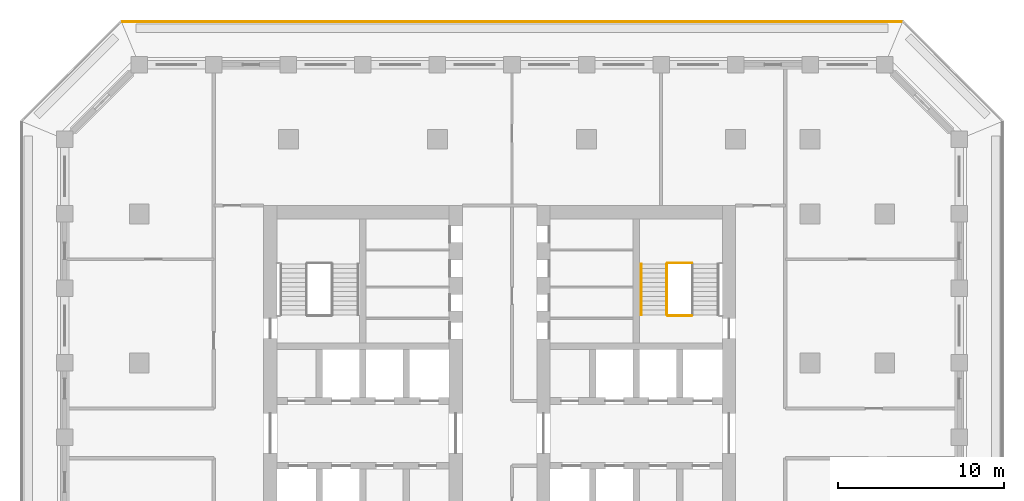
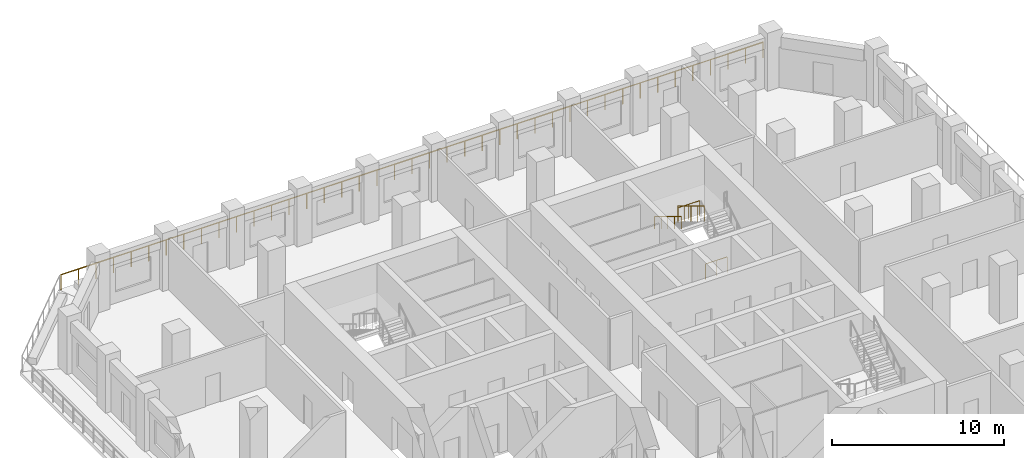
# One storey, part 14 of 16: 5 railings.
"""IFC4 building model written with IfcOpenShell, lengths in metres."""

from ifc_helpers import new_model, si_unit, direction, frame, origin, origin_2d, place, context, subcontext, project, spatial, circle, extrude, material, type_object, element, save


model = new_model("IFC4")

# Units and contexts
model_context = context("Model", 3, precision=1e-05, world=origin(), true_north=direction((0.0, 1.0)))
body_context = subcontext(model_context, "Body", "Model", "MODEL_VIEW")
ifc_project = project(units=[si_unit("LENGTHUNIT", "METRE"), si_unit("AREAUNIT", "SQUARE_METRE"), si_unit("VOLUMEUNIT", "CUBIC_METRE"), si_unit("PLANEANGLEUNIT", "RADIAN"), si_unit("MASSUNIT", "GRAM", prefix="KILO")], contexts=[model_context])

# Site, building, storey
site_placement = place(None, origin())
site = spatial("IfcSite", under=ifc_project, at=site_placement, CompositionType="ELEMENT")
building_placement = place(site_placement, origin())
building = spatial("IfcBuilding", under=site, at=building_placement, Name="Corbel Stack Research Tower", CompositionType="ELEMENT")
storey_placement = place(building_placement, frame((0.0, 0.0, 195.60009765625)))
storey = spatial("IfcBuildingStorey", under=building, at=storey_placement, Name="L44", CompositionType="ELEMENT", Elevation=195.60009765625)

# Railings
ifc_material_1 = material(Name="Steel S355", Category="steel")
railing_type_1 = type_object("IfcRailingType", Name="Stair guard 1100", PredefinedType="GUARDRAIL", material=ifc_material_1)
railing_1_placement = place(storey_placement, frame((15.35009765625, 15.030029296875, 2.0498046875)))
element("IfcRailing", 1, at=railing_1_placement, inside=storey, type_object=railing_type_1, Name="L44 ST-E2 stair guard 2", PredefinedType="GUARDRAIL", context=body_context, shape_type="SweptSolid", body=[
    extrude(circle(Radius=0.02392578125, at=origin_2d()), frame((0.0, 0.0, 1.076171875), z_axis=(-1.0, 0.0, 0.0), x_axis=(0.0, -1.0, 0.0)), (0.0, 0.0, 1.0), 1.4501953125),
    extrude(circle(Radius=0.02099609375, at=origin_2d()), origin(), (0.0, 0.0, 1.0), 1.052001953125),
    extrude(circle(Radius=0.02099609375, at=origin_2d()), frame((-0.72509765625, 0.0, 0.0)), (0.0, 0.0, 1.0), 1.052001953125),
    extrude(circle(Radius=0.02099609375, at=origin_2d()), frame((-1.4501953125, 0.0, 0.0)), (0.0, 0.0, 1.0), 1.052001953125),
])
railing_2_placement = place(storey_placement, frame((13.85009765625, 14.97998046875, 2.220703125)))
element("IfcRailing", 2, at=railing_2_placement, inside=storey, type_object=railing_type_1, Name="L44 ST-E2 stair guard 4", PredefinedType="GUARDRAIL", context=body_context, shape_type="SweptSolid", body=[
    extrude(circle(Radius=0.02392578125, at=origin_2d()), frame((0.0, 0.0, 1.076171875), z_axis=(0.0, -0.853666305674, 0.52082035152), x_axis=(1.0, 0.0, 0.0)), (0.0, 0.0, 1.0), 3.608154296875),
    extrude(circle(Radius=0.02099609375, at=origin_2d()), origin(), (0.0, 0.0, 1.0), 1.052001953125),
    extrude(circle(Radius=0.02099609375, at=origin_2d()), frame((0.0, -0.77001953125, 0.4697265625)), (0.0, 0.0, 1.0), 1.052001953125),
    extrude(circle(Radius=0.02099609375, at=origin_2d()), frame((0.0, -1.5400390625, 0.939453125)), (0.0, 0.0, 1.0), 1.052001953125),
    extrude(circle(Radius=0.02099609375, at=origin_2d()), frame((0.0, -2.31005859375, 1.409423828125)), (0.0, 0.0, 1.0), 1.052001953125),
    extrude(circle(Radius=0.02099609375, at=origin_2d()), frame((0.0, -3.080078125, 1.879150390625)), (0.0, 0.0, 1.0), 1.052001953125),
])
railing_3_placement = place(storey_placement, frame((15.35009765625, 11.85009765625, 0.0)))
element("IfcRailing", 3, at=railing_3_placement, inside=storey, type_object=railing_type_1, Name="L44 ST-E2 stair guard 5", PredefinedType="GUARDRAIL", context=body_context, shape_type="SweptSolid", body=[
    extrude(circle(Radius=0.02392578125, at=origin_2d()), frame((0.0, 0.0, 1.076171875), z_axis=(-1.0, 0.0, 0.0), x_axis=(0.0, -1.0, 0.0)), (0.0, 0.0, 1.0), 1.4501953125),
    extrude(circle(Radius=0.02099609375, at=origin_2d()), origin(), (0.0, 0.0, 1.0), 1.052001953125),
    extrude(circle(Radius=0.02099609375, at=origin_2d()), frame((-0.72509765625, 0.0, 0.0)), (0.0, 0.0, 1.0), 1.052001953125),
    extrude(circle(Radius=0.02099609375, at=origin_2d()), frame((-1.4501953125, 0.0, 0.0)), (0.0, 0.0, 1.0), 1.052001953125),
])
ifc_material_2 = material(Name="Steel S355", Category="steel")
railing_type_2 = type_object("IfcRailingType", Name="Stair handrail 900", PredefinedType="HANDRAIL", material=ifc_material_2)
railing_4_placement = place(storey_placement, frame((12.300048828125, 14.97998046875, 2.220703125)))
element("IfcRailing", 4, at=railing_4_placement, inside=storey, type_object=railing_type_2, Name="L44 ST-E2 stair handrail 2", PredefinedType="HANDRAIL", context=body_context, shape_type="SweptSolid", body=[
    extrude(circle(Radius=0.02392578125, at=origin_2d()), frame((0.0, 0.0, 0.8759765625), z_axis=(0.0, -0.853666305674, 0.52082035152), x_axis=(1.0, 0.0, 0.0)), (0.0, 0.0, 1.0), 3.608154296875),
    extrude(circle(Radius=0.02099609375, at=origin_2d()), origin(), (0.0, 0.0, 1.0), 0.851806640625),
    extrude(circle(Radius=0.02099609375, at=origin_2d()), frame((0.0, -0.77001953125, 0.4697265625)), (0.0, 0.0, 1.0), 0.851806640625),
    extrude(circle(Radius=0.02099609375, at=origin_2d()), frame((0.0, -1.5400390625, 0.939453125)), (0.0, 0.0, 1.0), 0.851806640625),
    extrude(circle(Radius=0.02099609375, at=origin_2d()), frame((0.0, -2.31005859375, 1.409423828125)), (0.0, 0.0, 1.0), 0.851806640625),
    extrude(circle(Radius=0.02099609375, at=origin_2d()), frame((0.0, -3.080078125, 1.879150390625)), (0.0, 0.0, 1.0), 0.851806640625),
])
ifc_material_3 = material(Name="Powder-coated steel guard", Category="steel")
railing_type_3 = type_object("IfcRailingType", Name="Steel and glass guard 1100", PredefinedType="GUARDRAIL", material=ifc_material_3)
railing_5_placement = place(storey_placement, frame((28.00537109375, 29.60009765625, 0.0)))
element("IfcRailing", 5, at=railing_5_placement, inside=storey, type_object=railing_type_3, Name="Loggia guard L44 N", PredefinedType="GUARDRAIL", context=body_context, shape_type="SweptSolid", body=[
    extrude(circle(Radius=0.02392578125, at=origin_2d()), frame((0.0, 0.0, 1.076171875), z_axis=(-1.0, 0.0, 0.0), x_axis=(0.0, -1.0, 0.0)), (0.0, 0.0, 1.0), 47.0107421875),
    extrude(circle(Radius=0.02099609375, at=origin_2d()), origin(), (0.0, 0.0, 1.0), 1.052001953125),
    extrude(circle(Radius=0.02099609375, at=origin_2d()), frame((-1.17529296875, 0.0, 0.0)), (0.0, 0.0, 1.0), 1.052001953125),
    extrude(circle(Radius=0.02099609375, at=origin_2d()), frame((-2.3505859375, 0.0, 0.0)), (0.0, 0.0, 1.0), 1.052001953125),
    extrude(circle(Radius=0.02099609375, at=origin_2d()), frame((-3.52587890625, 0.0, 0.0)), (0.0, 0.0, 1.0), 1.052001953125),
    extrude(circle(Radius=0.02099609375, at=origin_2d()), frame((-4.701171875, 0.0, 0.0)), (0.0, 0.0, 1.0), 1.052001953125),
    extrude(circle(Radius=0.02099609375, at=origin_2d()), frame((-5.87646484375, 0.0, 0.0)), (0.0, 0.0, 1.0), 1.052001953125),
    extrude(circle(Radius=0.02099609375, at=origin_2d()), frame((-7.051513671875, 0.0, 0.0)), (0.0, 0.0, 1.0), 1.052001953125),
    extrude(circle(Radius=0.02099609375, at=origin_2d()), frame((-8.226806640625, 0.0, 0.0)), (0.0, 0.0, 1.0), 1.052001953125),
    extrude(circle(Radius=0.02099609375, at=origin_2d()), frame((-9.402099609375, 0.0, 0.0)), (0.0, 0.0, 1.0), 1.052001953125),
    extrude(circle(Radius=0.02099609375, at=origin_2d()), frame((-10.577392578125, 0.0, 0.0)), (0.0, 0.0, 1.0), 1.052001953125),
    extrude(circle(Radius=0.02099609375, at=origin_2d()), frame((-11.752685546875, 0.0, 0.0)), (0.0, 0.0, 1.0), 1.052001953125),
    extrude(circle(Radius=0.02099609375, at=origin_2d()), frame((-12.927978515625, 0.0, 0.0)), (0.0, 0.0, 1.0), 1.052001953125),
    extrude(circle(Radius=0.02099609375, at=origin_2d()), frame((-14.103271484375, 0.0, 0.0)), (0.0, 0.0, 1.0), 1.052001953125),
    extrude(circle(Radius=0.02099609375, at=origin_2d()), frame((-15.278564453125, 0.0, 0.0)), (0.0, 0.0, 1.0), 1.052001953125),
    extrude(circle(Radius=0.02099609375, at=origin_2d()), frame((-16.453857421875, 0.0, 0.0)), (0.0, 0.0, 1.0), 1.052001953125),
    extrude(circle(Radius=0.02099609375, at=origin_2d()), frame((-17.62890625, 0.0, 0.0)), (0.0, 0.0, 1.0), 1.052001953125),
    extrude(circle(Radius=0.02099609375, at=origin_2d()), frame((-18.80419921875, 0.0, 0.0)), (0.0, 0.0, 1.0), 1.052001953125),
    extrude(circle(Radius=0.02099609375, at=origin_2d()), frame((-19.9794921875, 0.0, 0.0)), (0.0, 0.0, 1.0), 1.052001953125),
    extrude(circle(Radius=0.02099609375, at=origin_2d()), frame((-21.15478515625, 0.0, 0.0)), (0.0, 0.0, 1.0), 1.052001953125),
    extrude(circle(Radius=0.02099609375, at=origin_2d()), frame((-22.330078125, 0.0, 0.0)), (0.0, 0.0, 1.0), 1.052001953125),
    extrude(circle(Radius=0.02099609375, at=origin_2d()), frame((-23.50537109375, 0.0, 0.0)), (0.0, 0.0, 1.0), 1.052001953125),
    extrude(circle(Radius=0.02099609375, at=origin_2d()), frame((-24.6806640625, 0.0, 0.0)), (0.0, 0.0, 1.0), 1.052001953125),
    extrude(circle(Radius=0.02099609375, at=origin_2d()), frame((-25.85595703125, 0.0, 0.0)), (0.0, 0.0, 1.0), 1.052001953125),
    extrude(circle(Radius=0.02099609375, at=origin_2d()), frame((-27.03125, 0.0, 0.0)), (0.0, 0.0, 1.0), 1.052001953125),
    extrude(circle(Radius=0.02099609375, at=origin_2d()), frame((-28.20654296875, 0.0, 0.0)), (0.0, 0.0, 1.0), 1.052001953125),
    extrude(circle(Radius=0.02099609375, at=origin_2d()), frame((-29.3818359375, 0.0, 0.0)), (0.0, 0.0, 1.0), 1.052001953125),
    extrude(circle(Radius=0.02099609375, at=origin_2d()), frame((-30.556884765625, 0.0, 0.0)), (0.0, 0.0, 1.0), 1.052001953125),
    extrude(circle(Radius=0.02099609375, at=origin_2d()), frame((-31.732177734375, 0.0, 0.0)), (0.0, 0.0, 1.0), 1.052001953125),
    extrude(circle(Radius=0.02099609375, at=origin_2d()), frame((-32.907470703125, 0.0, 0.0)), (0.0, 0.0, 1.0), 1.052001953125),
    extrude(circle(Radius=0.02099609375, at=origin_2d()), frame((-34.082763671875, 0.0, 0.0)), (0.0, 0.0, 1.0), 1.052001953125),
    extrude(circle(Radius=0.02099609375, at=origin_2d()), frame((-35.258056640625, 0.0, 0.0)), (0.0, 0.0, 1.0), 1.052001953125),
    extrude(circle(Radius=0.02099609375, at=origin_2d()), frame((-36.433349609375, 0.0, 0.0)), (0.0, 0.0, 1.0), 1.052001953125),
    extrude(circle(Radius=0.02099609375, at=origin_2d()), frame((-37.608642578125, 0.0, 0.0)), (0.0, 0.0, 1.0), 1.052001953125),
    extrude(circle(Radius=0.02099609375, at=origin_2d()), frame((-38.783935546875, 0.0, 0.0)), (0.0, 0.0, 1.0), 1.052001953125),
    extrude(circle(Radius=0.02099609375, at=origin_2d()), frame((-39.959228515625, 0.0, 0.0)), (0.0, 0.0, 1.0), 1.052001953125),
    extrude(circle(Radius=0.02099609375, at=origin_2d()), frame((-41.13427734375, 0.0, 0.0)), (0.0, 0.0, 1.0), 1.052001953125),
    extrude(circle(Radius=0.02099609375, at=origin_2d()), frame((-42.3095703125, 0.0, 0.0)), (0.0, 0.0, 1.0), 1.052001953125),
    extrude(circle(Radius=0.02099609375, at=origin_2d()), frame((-43.48486328125, 0.0, 0.0)), (0.0, 0.0, 1.0), 1.052001953125),
    extrude(circle(Radius=0.02099609375, at=origin_2d()), frame((-44.66015625, 0.0, 0.0)), (0.0, 0.0, 1.0), 1.052001953125),
    extrude(circle(Radius=0.02099609375, at=origin_2d()), frame((-45.83544921875, 0.0, 0.0)), (0.0, 0.0, 1.0), 1.052001953125),
    extrude(circle(Radius=0.02099609375, at=origin_2d()), frame((-47.0107421875, 0.0, 0.0)), (0.0, 0.0, 1.0), 1.052001953125),
])

save(model, "model.ifc")
